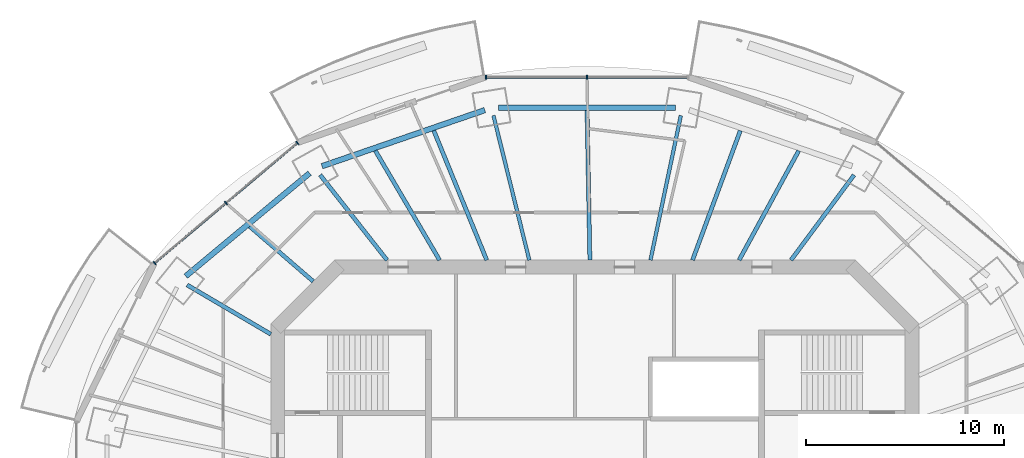
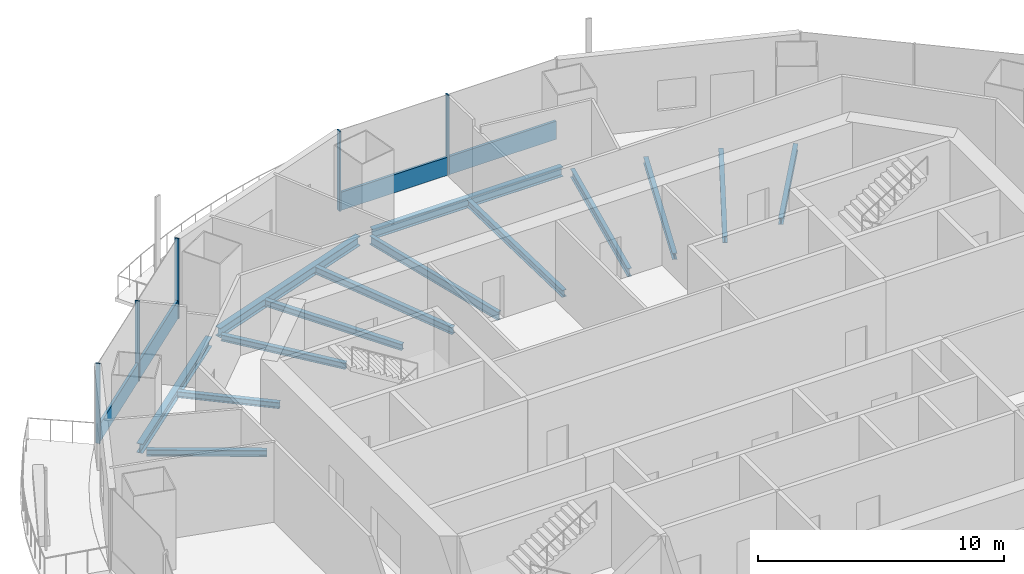
# One storey, part 5 of 16: 14 beams, 7 members, 2 elements without a shape of their own.
"""IFC4 building model written with IfcOpenShell, lengths in metres."""

from ifc_helpers import new_model, si_unit, direction, frame, origin, origin_2d, place, context, subcontext, project, spatial, rectangle, i_section, extrude, material, material_profile, profile_set, type_object, element, aggregate, save


model = new_model("IFC4")

# Units and contexts
model_context = context("Model", 3, precision=1e-05, world=origin(), true_north=direction((0.0, 1.0)))
body_context = subcontext(model_context, "Body", "Model", "MODEL_VIEW")
ifc_project = project(units=[si_unit("LENGTHUNIT", "METRE"), si_unit("AREAUNIT", "SQUARE_METRE"), si_unit("VOLUMEUNIT", "CUBIC_METRE"), si_unit("PLANEANGLEUNIT", "RADIAN"), si_unit("MASSUNIT", "GRAM", prefix="KILO")], contexts=[model_context])

# Site, building, storey
site_placement = place(None, origin())
site = spatial("IfcSite", under=ifc_project, at=site_placement, CompositionType="ELEMENT")
building_placement = place(site_placement, origin())
building = spatial("IfcBuilding", under=site, at=building_placement, Name="Marenthal Gate Tower", CompositionType="ELEMENT")
storey_placement = place(building_placement, frame((0.0, 0.0, 367.5)))
storey = spatial("IfcBuildingStorey", under=building, at=storey_placement, Name="L83", CompositionType="ELEMENT", Elevation=367.5)

# Curtain wall, members
ifc_material_1 = material(Name="Aluminium and glass", Category="aluminium")
curtain_wall_type = type_object("IfcCurtainWallType", Name="Curtain wall typical high", PredefinedType="NOTDEFINED", material=ifc_material_1)
curtain_wall_1_placement = place(storey_placement, origin())
curtain_wall_1 = element("IfcCurtainWall", 1, at=curtain_wall_1_placement, inside=storey, type_object=curtain_wall_type, Name="Curtain wall L83 bay 4", PredefinedType="NOTDEFINED")
ifc_material_2 = material(Name="Aluminium", Category="aluminium")
ifc_material_profile_1 = material_profile(ifc_material_2, rectangle(XDim=0.199951171875, YDim=0.06005859375, at=origin_2d()), Name="60x200 aluminium mullion")
ifc_profile_set_1 = profile_set([ifc_material_profile_1], Name="Aluminium")
member_type_1 = type_object("IfcMemberType", Name="Mullion 60x200 typical high", PredefinedType="MULLION", material=ifc_profile_set_1)
member_1_placement = place(storey_placement, frame((-0.39990234375, 22.586181640625, 0.0), z_axis=(0.0, 0.0, 1.0), x_axis=(0.0, -1.0, 0.0)))
member_1 = element("IfcMember", 2, at=member_1_placement, type_object=member_type_1, Name="Mullion L83 bay 4.2", PredefinedType="MULLION", context=body_context, shape_type="SweptSolid", body=[
    extrude(rectangle(XDim=0.199951171875, YDim=0.06005859375, at=origin_2d()), origin(), (0.0, 0.0, 1.0), 3.969970703125),
])
member_2_placement = place(storey_placement, frame((-5.493896484375, 22.586181640625, 0.0), z_axis=(0.0, 0.0, 1.0), x_axis=(0.0, -1.0, 0.0)))
member_2 = element("IfcMember", 3, at=member_2_placement, type_object=member_type_1, Name="Mullion L83 bay 4.3", PredefinedType="MULLION", context=body_context, shape_type="SweptSolid", body=[
    extrude(rectangle(XDim=0.199951171875, YDim=0.06005859375, at=origin_2d()), origin(), (0.0, 0.0, 1.0), 3.969970703125),
])

curtain_wall_2_placement = place(storey_placement, origin())
curtain_wall_2 = element("IfcCurtainWall", 4, at=curtain_wall_2_placement, inside=storey, type_object=curtain_wall_type, Name="Curtain wall L83 bay 6", PredefinedType="NOTDEFINED")
member_3_placement = place(storey_placement, frame((-15.01513671875, 19.265380859375, 0.0), z_axis=(0.0, 0.0, 1.0), x_axis=(0.644022605429, -0.765006459905, 0.0)))
member_3 = element("IfcMember", 5, at=member_3_placement, type_object=member_type_1, Name="Mullion L83 bay 6.1", PredefinedType="MULLION", context=body_context, shape_type="SweptSolid", body=[
    extrude(rectangle(XDim=0.199951171875, YDim=0.06005859375, at=origin_2d()), origin(), (0.0, 0.0, 1.0), 3.969970703125),
])
member_4_placement = place(storey_placement, frame((-18.615234375, 16.234375, 0.0), z_axis=(0.0, 0.0, 1.0), x_axis=(0.644022605429, -0.765006459905, 0.0)))
member_4 = element("IfcMember", 6, at=member_4_placement, type_object=member_type_1, Name="Mullion L83 bay 6.2", PredefinedType="MULLION", context=body_context, shape_type="SweptSolid", body=[
    extrude(rectangle(XDim=0.199951171875, YDim=0.06005859375, at=origin_2d()), origin(), (0.0, 0.0, 1.0), 3.969970703125),
])
member_5_placement = place(storey_placement, frame((-22.215576171875, 13.20361328125, 0.0), z_axis=(0.0, 0.0, 1.0), x_axis=(0.644022605429, -0.765006459905, 0.0)))
member_5 = element("IfcMember", 7, at=member_5_placement, type_object=member_type_1, Name="Mullion L83 bay 6.3", PredefinedType="MULLION", context=body_context, shape_type="SweptSolid", body=[
    extrude(rectangle(XDim=0.199951171875, YDim=0.06005859375, at=origin_2d()), origin(), (0.0, 0.0, 1.0), 3.969970703125),
])

# Member
ifc_material_3 = material(Name="Aluminium", Category="aluminium")
ifc_material_profile_2 = material_profile(ifc_material_3, rectangle(XDim=0.1201171875, YDim=0.89990234375, at=origin_2d()), Name="120x900 aluminium transom")
ifc_profile_set_2 = profile_set([ifc_material_profile_2], Name="Aluminium")
member_type_2 = type_object("IfcMemberType", Name="Transom 120x900 typical high", PredefinedType="USERDEFINED", material=ifc_profile_set_2)
member_6_placement = place(storey_placement, frame((4.6640625, 22.586181640625, 0.449951171875), z_axis=(-1.0, 0.0, 0.0), x_axis=(0.0, -1.0, 0.0)))
member_6 = element("IfcMember", 8, at=member_6_placement, type_object=member_type_2, Name="Transom L83 bay 4", ObjectType="TRANSOM", PredefinedType="USERDEFINED", context=body_context, shape_type="SweptSolid", body=[
    extrude(rectangle(XDim=0.1201171875, YDim=0.89990234375, at=origin_2d()), origin(), (0.0, 0.0, 1.0), 10.128173828125),
])

aggregate(curtain_wall_1, [member_1, member_2, member_6])

member_7_placement = place(storey_placement, frame((-15.0380859375, 19.245849609375, 0.449951171875), z_axis=(-0.76501273232, -0.644015154626, 0.0), x_axis=(0.644015154626, -0.76501273232, 0.0)))
member_7 = element("IfcMember", 9, at=member_7_placement, type_object=member_type_2, Name="Transom L83 bay 6", ObjectType="TRANSOM", PredefinedType="USERDEFINED", context=body_context, shape_type="SweptSolid", body=[
    extrude(rectangle(XDim=0.1201171875, YDim=0.89990234375, at=origin_2d()), origin(), (0.0, 0.0, 1.0), 9.352294921875),
])

aggregate(curtain_wall_2, [member_3, member_4, member_5, member_7])

# Beams
ifc_material_4 = material(Name="Steel S355", Category="steel")
ifc_material_profile_3 = material_profile(ifc_material_4, i_section(OverallWidth=0.202880859375, OverallDepth=0.302001953125, WebThickness=0.007568359375, FlangeThickness=0.01318359375, FilletRadius=0.0126953125, at=origin_2d()), Name="W310X60")
ifc_profile_set_3 = profile_set([ifc_material_profile_3], Name="Steel S355")
beam_type_1 = type_object("IfcBeamType", Name="W310X60 beam", PredefinedType="BEAM", material=ifc_profile_set_3)
beam_1_placement = place(storey_placement, frame((-17.41259765625, 15.046142578125, -0.3310546875), z_axis=(0.756654197552, -0.653815283797, 0.0), x_axis=(0.653815283797, 0.756654197552, 0.0)))
element("IfcBeam", 10, at=beam_1_placement, inside=storey, type_object=beam_type_1, Name="BM-L83-25", PredefinedType="BEAM", context=body_context, shape_type="SweptSolid", body=[
    extrude(i_section(OverallWidth=0.202880859375, OverallDepth=0.302001953125, WebThickness=0.007568359375, FlangeThickness=0.01318359375, FilletRadius=0.0126953125, at=origin_2d()), origin(), (0.0, 0.0, 1.0), 4.22802734375),
])
ifc_material_5 = material(Name="Steel S355", Category="steel")
ifc_material_profile_4 = material_profile(ifc_material_5, i_section(OverallWidth=0.205078125, OverallDepth=0.31005859375, WebThickness=0.009521484375, FlangeThickness=0.016357421875, FilletRadius=0.0126953125, at=origin_2d()), Name="W310X74")
ifc_profile_set_4 = profile_set([ifc_material_profile_4], Name="Steel S355")
beam_type_2 = type_object("IfcBeamType", Name="W310X74 beam", PredefinedType="BEAM", material=ifc_profile_set_4)
beam_2_placement = place(storey_placement, frame((13.071533203125, 17.643310546875, -0.3349609375), z_axis=(-0.595288742749, -0.803511862238, 0.0), x_axis=(0.803511862238, -0.595288742749, 0.0)))
element("IfcBeam", 11, at=beam_2_placement, inside=storey, type_object=beam_type_2, Name="BM-L83-03", PredefinedType="BEAM", context=body_context, shape_type="SweptSolid", body=[
    extrude(i_section(OverallWidth=0.205078125, OverallDepth=0.31005859375, WebThickness=0.009521484375, FlangeThickness=0.016357421875, FilletRadius=0.0126953125, at=origin_2d()), origin(), (0.0, 0.0, 1.0), 5.343017578125),
])
beam_3_placement = place(storey_placement, frame((-13.860107421875, 17.647216796875, -0.3349609375), z_axis=(0.617673543171, -0.786434608894, 0.0), x_axis=(0.786434608894, 0.617673543171, 0.0)))
element("IfcBeam", 12, at=beam_3_placement, inside=storey, type_object=beam_type_2, Name="BM-L83-06", PredefinedType="BEAM", context=body_context, shape_type="SweptSolid", body=[
    extrude(i_section(OverallWidth=0.205078125, OverallDepth=0.31005859375, WebThickness=0.009521484375, FlangeThickness=0.016357421875, FilletRadius=0.0126953125, at=origin_2d()), origin(), (0.0, 0.0, 1.0), 5.464111328125),
])
beam_4_placement = place(storey_placement, frame((-20.57177734375, 12.098876953125, -0.3349609375), z_axis=(0.861950873006, -0.506991807156, 0.0), x_axis=(0.506991807156, 0.861950873006, 0.0)))
element("IfcBeam", 13, at=beam_4_placement, inside=storey, type_object=beam_type_2, Name="BM-L83-07", PredefinedType="BEAM", context=body_context, shape_type="SweptSolid", body=[
    extrude(i_section(OverallWidth=0.205078125, OverallDepth=0.31005859375, WebThickness=0.009521484375, FlangeThickness=0.016357421875, FilletRadius=0.0126953125, at=origin_2d()), origin(), (0.0, 0.0, 1.0), 4.897705078125),
])
beam_5_placement = place(storey_placement, frame((10.280517578125, 18.868408203125, -0.3349609375), z_axis=(-0.478465572796, -0.87810631227, 0.0), x_axis=(0.87810631227, -0.478465572796, 0.0)))
element("IfcBeam", 14, at=beam_5_placement, inside=storey, type_object=beam_type_2, Name="BM-L83-20", PredefinedType="BEAM", context=body_context, shape_type="SweptSolid", body=[
    extrude(i_section(OverallWidth=0.205078125, OverallDepth=0.31005859375, WebThickness=0.009521484375, FlangeThickness=0.016357421875, FilletRadius=0.0126953125, at=origin_2d()), origin(), (0.0, 0.0, 1.0), 6.284423828125),
])
beam_6_placement = place(storey_placement, frame((7.333740234375, 19.8837890625, -0.3349609375), z_axis=(-0.34605462935, -0.938214364367, 0.0), x_axis=(0.938214364367, -0.34605462935, 0.0)))
element("IfcBeam", 15, at=beam_6_placement, inside=storey, type_object=beam_type_2, Name="BM-L83-21", PredefinedType="BEAM", context=body_context, shape_type="SweptSolid", body=[
    extrude(i_section(OverallWidth=0.205078125, OverallDepth=0.31005859375, WebThickness=0.009521484375, FlangeThickness=0.016357421875, FilletRadius=0.0126953125, at=origin_2d()), origin(), (0.0, 0.0, 1.0), 6.9638671875),
])
beam_7_placement = place(storey_placement, frame((-11.076171875, 18.8701171875, -0.3349609375), z_axis=(0.506226470538, -0.862400580083, 0.0), x_axis=(0.862400580083, 0.506226470538, 0.0)))
element("IfcBeam", 16, at=beam_7_placement, inside=storey, type_object=beam_type_2, Name="BM-L83-24", PredefinedType="BEAM", context=body_context, shape_type="SweptSolid", body=[
    extrude(i_section(OverallWidth=0.205078125, OverallDepth=0.31005859375, WebThickness=0.009521484375, FlangeThickness=0.016357421875, FilletRadius=0.0126953125, at=origin_2d()), origin(), (0.0, 0.0, 1.0), 6.40087890625),
])
ifc_material_6 = material(Name="Steel S355", Category="steel")
ifc_material_profile_5 = material_profile(ifc_material_6, i_section(OverallWidth=0.205078125, OverallDepth=0.35302734375, WebThickness=0.009521484375, FlangeThickness=0.016845703125, FilletRadius=0.014892578125, at=origin_2d()), Name="W360X79")
ifc_profile_set_5 = profile_set([ifc_material_profile_5], Name="Steel S355")
beam_type_3 = type_object("IfcBeamType", Name="W360X79 beam", PredefinedType="BEAM", material=ifc_profile_set_5)
beam_8_placement = place(storey_placement, frame((-0.397216796875, 20.89697265625, -0.3564453125), z_axis=(0.018985966402, -0.999819750295, 0.0), x_axis=(0.999819750295, 0.018985966402, 0.0)))
element("IfcBeam", 17, at=beam_8_placement, inside=storey, type_object=beam_type_3, Name="BM-L83-22", PredefinedType="BEAM", context=body_context, shape_type="SweptSolid", body=[
    extrude(i_section(OverallWidth=0.205078125, OverallDepth=0.35302734375, WebThickness=0.009521484375, FlangeThickness=0.016845703125, FilletRadius=0.014892578125, at=origin_2d()), origin(), (0.0, 0.0, 1.0), 7.54833984375),
])
beam_9_placement = place(storey_placement, frame((-8.129150390625, 19.88525390625, -0.3564453125), z_axis=(0.378409319128, -0.925638367397, 0.0), x_axis=(0.925638367397, 0.378409319128, 0.0)))
element("IfcBeam", 18, at=beam_9_placement, inside=storey, type_object=beam_type_3, Name="BM-L83-23", PredefinedType="BEAM", context=body_context, shape_type="SweptSolid", body=[
    extrude(i_section(OverallWidth=0.205078125, OverallDepth=0.35302734375, WebThickness=0.009521484375, FlangeThickness=0.016845703125, FilletRadius=0.014892578125, at=origin_2d()), origin(), (0.0, 0.0, 1.0), 7.06005859375),
])
ifc_material_7 = material(Name="Steel S355", Category="steel")
ifc_material_profile_6 = material_profile(ifc_material_7, i_section(OverallWidth=0.180908203125, OverallDepth=0.4169921875, WebThickness=0.010986328125, FlangeThickness=0.018310546875, FilletRadius=0.01025390625, at=origin_2d()), Name="W410X85")
ifc_profile_set_6 = profile_set([ifc_material_profile_6], Name="Steel S355")
beam_type_4 = type_object("IfcBeamType", Name="W410X85 beam", PredefinedType="BEAM", material=ifc_profile_set_6)
beam_10_placement = place(storey_placement, frame((4.33349609375, 20.644287109375, -0.388427734375), z_axis=(-0.205449154354, -0.978667790915, 0.0), x_axis=(0.978667790915, -0.205449154354, 0.0)))
element("IfcBeam", 19, at=beam_10_placement, inside=storey, type_object=beam_type_4, Name="BM-L83-04", PredefinedType="BEAM", context=body_context, shape_type="SweptSolid", body=[
    extrude(i_section(OverallWidth=0.180908203125, OverallDepth=0.4169921875, WebThickness=0.010986328125, FlangeThickness=0.018310546875, FilletRadius=0.01025390625, at=origin_2d()), origin(), (0.0, 0.0, 1.0), 7.453125),
])
beam_11_placement = place(storey_placement, frame((-5.118896484375, 20.6455078125, -0.388427734375), z_axis=(0.240655066807, -0.970610704052, 0.0), x_axis=(0.970610704052, 0.240655066807, 0.0)))
element("IfcBeam", 20, at=beam_11_placement, inside=storey, type_object=beam_type_4, Name="BM-L83-05", PredefinedType="BEAM", context=body_context, shape_type="SweptSolid", body=[
    extrude(i_section(OverallWidth=0.180908203125, OverallDepth=0.4169921875, WebThickness=0.010986328125, FlangeThickness=0.018310546875, FilletRadius=0.01025390625, at=origin_2d()), origin(), (0.0, 0.0, 1.0), 7.516357421875),
])
ifc_material_8 = material(Name="Steel S355", Category="steel")
ifc_material_profile_7 = material_profile(ifc_material_8, i_section(OverallWidth=0.279052734375, OverallDepth=0.4619140625, WebThickness=0.0107421875, FlangeThickness=0.017333984375, FilletRadius=0.010009765625, at=origin_2d()), Name="W460X113")
ifc_profile_set_7 = profile_set([ifc_material_profile_7], Name="Steel S355")
beam_type_5 = type_object("IfcBeamType", Name="W460X113 beam", PredefinedType="BEAM", material=ifc_profile_set_7)
beam_12_placement = place(storey_placement, frame((4.05419921875, 21.03662109375, -0.410888671875), z_axis=(-1.0, 0.0, 0.0), x_axis=(0.0, -1.0, 0.0)))
element("IfcBeam", 21, at=beam_12_placement, inside=storey, type_object=beam_type_5, Name="BM-L83-42", PredefinedType="BEAM", context=body_context, shape_type="SweptSolid", body=[
    extrude(i_section(OverallWidth=0.279052734375, OverallDepth=0.4619140625, WebThickness=0.0107421875, FlangeThickness=0.017333984375, FilletRadius=0.010009765625, at=origin_2d()), origin(), (0.0, 0.0, 1.0), 8.908447265625),
])
beam_13_placement = place(storey_placement, frame((-5.55810546875, 20.918701171875, -0.410888671875), z_axis=(-0.945456581445, -0.325748142898, 0.0), x_axis=(0.325748142898, -0.945456581445, 0.0)))
element("IfcBeam", 22, at=beam_13_placement, inside=storey, type_object=beam_type_5, Name="BM-L83-43", PredefinedType="BEAM", context=body_context, shape_type="SweptSolid", body=[
    extrude(i_section(OverallWidth=0.279052734375, OverallDepth=0.4619140625, WebThickness=0.0107421875, FlangeThickness=0.017333984375, FilletRadius=0.010009765625, at=origin_2d()), origin(), (0.0, 0.0, 1.0), 8.6865234375),
])
beam_14_placement = place(storey_placement, frame((-14.39501953125, 17.737548828125, -0.410888671875), z_axis=(-0.768814455902, -0.639471916816, 0.0), x_axis=(0.639471916816, -0.768814455902, 0.0)))
element("IfcBeam", 23, at=beam_14_placement, inside=storey, type_object=beam_type_5, Name="BM-L83-44", PredefinedType="BEAM", context=body_context, shape_type="SweptSolid", body=[
    extrude(i_section(OverallWidth=0.279052734375, OverallDepth=0.4619140625, WebThickness=0.0107421875, FlangeThickness=0.017333984375, FilletRadius=0.010009765625, at=origin_2d()), origin(), (0.0, 0.0, 1.0), 8.1259765625),
])

save(model, "model.ifc")
